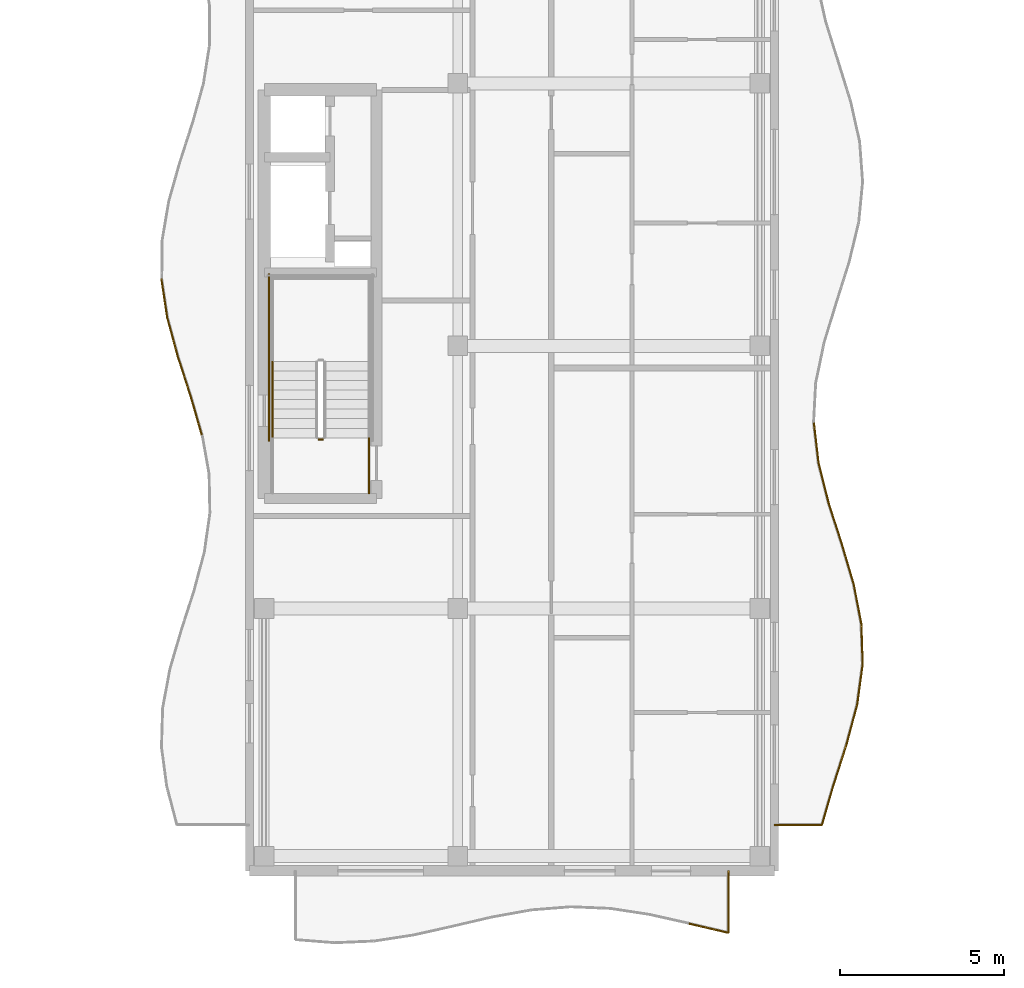
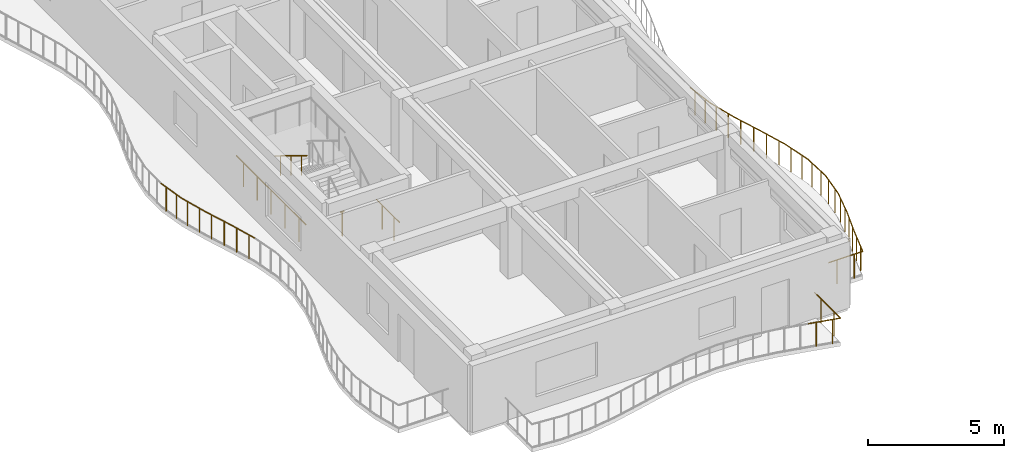
# One storey, part 58 of 72: 21 railings.
"""IFC4 building model written with IfcOpenShell, lengths in metres."""

from ifc_helpers import new_model, si_unit, direction, frame, origin, origin_2d, place, context, subcontext, project, spatial, circle, extrude, material, type_object, element, save


model = new_model("IFC4")

# Units and contexts
model_context = context("Model", 3, precision=1e-05, world=origin(), true_north=direction((0.0, 1.0)))
body_context = subcontext(model_context, "Body", "Model", "MODEL_VIEW")
ifc_project = project(units=[si_unit("LENGTHUNIT", "METRE"), si_unit("AREAUNIT", "SQUARE_METRE"), si_unit("VOLUMEUNIT", "CUBIC_METRE"), si_unit("PLANEANGLEUNIT", "RADIAN"), si_unit("MASSUNIT", "GRAM", prefix="KILO")], contexts=[model_context])

# Site, building, storey
site_placement = place(None, origin())
site = spatial("IfcSite", under=ifc_project, at=site_placement, CompositionType="ELEMENT")
building_placement = place(site_placement, origin())
building = spatial("IfcBuilding", under=site, at=building_placement, Name="Keldmere Railside Commons", CompositionType="ELEMENT")
storey_placement = place(building_placement, frame((0.0, 0.0, 16.9599609375)))
storey = spatial("IfcBuildingStorey", under=building, at=storey_placement, Name="L05", CompositionType="ELEMENT", Elevation=16.9599609375)

# Railings
ifc_material = material(Name="Steel F-24 (S235)", Category="steel")
railing_type_1 = type_object("IfcRailingType", Name="Balcony & Terrace Steel Balustrade 1100", PredefinedType="BALUSTRADE", material=ifc_material)
railing_1_placement = place(storey_placement, frame((120.0, 57.39990234375, 0.0)))
element("IfcRailing", 1, at=railing_1_placement, inside=storey, type_object=railing_type_1, Name="GR-1 GRD-L05-2405", PredefinedType="BALUSTRADE", context=body_context, shape_type="SweptSolid", body=[
    extrude(circle(Radius=0.02392578125, at=origin_2d()), frame((0.0, 0.0, 1.076171875), z_axis=(1.0, 0.0, 0.0), x_axis=(0.0, 1.0, 0.0)), (0.0, 0.0, 1.0), 1.447998046875),
    extrude(circle(Radius=0.02099609375, at=origin_2d()), frame((0.362060546875, 0.0, 0.0)), (0.0, 0.0, 1.0), 1.048095703125),
    extrude(circle(Radius=0.02099609375, at=origin_2d()), frame((1.0859375, 0.0, 0.0)), (0.0, 0.0, 1.0), 1.048095703125),
])
railing_2_placement = place(storey_placement, frame((121.447998046875, 57.39990234375, 0.0)))
element("IfcRailing", 2, at=railing_2_placement, inside=storey, type_object=railing_type_1, Name="GR-1 GRD-L05-2406", PredefinedType="BALUSTRADE", context=body_context, shape_type="SweptSolid", body=[
    extrude(circle(Radius=0.02392578125, at=origin_2d()), frame((0.0, 0.0, 1.076171875), z_axis=(0.277602479935, 0.96069603056, 0.0), x_axis=(-0.96069603056, 0.277602479935, 0.0)), (0.0, 0.0, 1.0), 1.275146484375),
    extrude(circle(Radius=0.02099609375, at=origin_2d()), frame((0.08837890625, 0.30615234375, 0.0)), (0.0, 0.0, 1.0), 1.048095703125),
    extrude(circle(Radius=0.02099609375, at=origin_2d()), frame((0.265625, 0.9189453125, 0.0)), (0.0, 0.0, 1.0), 1.048095703125),
])
railing_3_placement = place(storey_placement, frame((121.802001953125, 58.625, 0.0)))
element("IfcRailing", 3, at=railing_3_placement, inside=storey, type_object=railing_type_1, Name="GR-1 GRD-L05-2407", PredefinedType="BALUSTRADE", context=body_context, shape_type="SweptSolid", body=[
    extrude(circle(Radius=0.02392578125, at=origin_2d()), frame((0.0, 0.0, 1.076171875), z_axis=(0.307052651276, 0.951692528785, 0.0), x_axis=(-0.951692528785, 0.307052651276, 0.0)), (0.0, 0.0, 1.0), 1.287353515625),
    extrude(circle(Radius=0.02099609375, at=origin_2d()), frame((0.098876953125, 0.30615234375, 0.0)), (0.0, 0.0, 1.0), 1.048095703125),
    extrude(circle(Radius=0.02099609375, at=origin_2d()), frame((0.29638671875, 0.9189453125, 0.0)), (0.0, 0.0, 1.0), 1.048095703125),
])
railing_4_placement = place(storey_placement, frame((122.197265625, 59.85009765625, 0.0)))
element("IfcRailing", 4, at=railing_4_placement, inside=storey, type_object=railing_type_1, Name="GR-1 GRD-L05-2408", PredefinedType="BALUSTRADE", context=body_context, shape_type="SweptSolid", body=[
    extrude(circle(Radius=0.02392578125, at=origin_2d()), frame((0.0, 0.0, 1.076171875), z_axis=(0.257326966125, 0.966324392999, 0.0), x_axis=(-0.966324392999, 0.257326966125, 0.0)), (0.0, 0.0, 1.0), 1.267578125),
    extrude(circle(Radius=0.02099609375, at=origin_2d()), frame((0.08154296875, 0.30615234375, 0.0)), (0.0, 0.0, 1.0), 1.048095703125),
    extrude(circle(Radius=0.02099609375, at=origin_2d()), frame((0.24462890625, 0.918701171875, 0.0)), (0.0, 0.0, 1.0), 1.048095703125),
])
railing_5_placement = place(storey_placement, frame((122.5234375, 61.074951171875, 0.0)))
element("IfcRailing", 5, at=railing_5_placement, inside=storey, type_object=railing_type_1, Name="GR-1 GRD-L05-2409", PredefinedType="BALUSTRADE", context=body_context, shape_type="SweptSolid", body=[
    extrude(circle(Radius=0.02392578125, at=origin_2d()), frame((0.0, 0.0, 1.076171875), z_axis=(0.134478701828, 0.990916484248, 0.0), x_axis=(-0.990916484248, 0.134478701828, 0.0)), (0.0, 0.0, 1.0), 1.236328125),
    extrude(circle(Radius=0.02099609375, at=origin_2d()), frame((0.04150390625, 0.30615234375, 0.0)), (0.0, 0.0, 1.0), 1.048095703125),
    extrude(circle(Radius=0.02099609375, at=origin_2d()), frame((0.124755859375, 0.9189453125, 0.0)), (0.0, 0.0, 1.0), 1.048095703125),
])
railing_6_placement = place(storey_placement, frame((122.689697265625, 62.300048828125, 0.0)))
element("IfcRailing", 6, at=railing_6_placement, inside=storey, type_object=railing_type_1, Name="GR-1 GRD-L05-2410", PredefinedType="BALUSTRADE", context=body_context, shape_type="SweptSolid", body=[
    extrude(circle(Radius=0.02392578125, at=origin_2d()), frame((0.0, 0.0, 1.076171875), z_axis=(-0.032671406841, 0.999466147088, 0.0), x_axis=(-0.999466147088, -0.032671406841, 0.0)), (0.0, 0.0, 1.0), 1.2255859375),
    extrude(circle(Radius=0.02099609375, at=origin_2d()), frame((-0.010009765625, 0.30615234375, 0.0)), (0.0, 0.0, 1.0), 1.048095703125),
    extrude(circle(Radius=0.02099609375, at=origin_2d()), frame((-0.030029296875, 0.918701171875, 0.0)), (0.0, 0.0, 1.0), 1.048095703125),
])
railing_7_placement = place(storey_placement, frame((122.649658203125, 63.52490234375, 0.0)))
element("IfcRailing", 7, at=railing_7_placement, inside=storey, type_object=railing_type_1, Name="GR-1 GRD-L05-2411", PredefinedType="BALUSTRADE", context=body_context, shape_type="SweptSolid", body=[
    extrude(circle(Radius=0.02392578125, at=origin_2d()), frame((0.0, 0.0, 1.076171875), z_axis=(-0.188658665611, 0.982042722029, 0.0), x_axis=(-0.982042722029, -0.188658665611, 0.0)), (0.0, 0.0, 1.0), 1.24755859375),
    extrude(circle(Radius=0.02099609375, at=origin_2d()), frame((-0.058837890625, 0.30615234375, 0.0)), (0.0, 0.0, 1.0), 1.048095703125),
    extrude(circle(Radius=0.02099609375, at=origin_2d()), frame((-0.176513671875, 0.9189453125, 0.0)), (0.0, 0.0, 1.0), 1.048095703125),
])
railing_8_placement = place(storey_placement, frame((122.414306640625, 64.75, 0.0)))
element("IfcRailing", 8, at=railing_8_placement, inside=storey, type_object=railing_type_1, Name="GR-1 GRD-L05-2412", PredefinedType="BALUSTRADE", context=body_context, shape_type="SweptSolid", body=[
    extrude(circle(Radius=0.02392578125, at=origin_2d()), frame((0.0, 0.0, 1.076171875), z_axis=(-0.285349676249, 0.958423477522, 0.0), x_axis=(-0.958423477522, -0.285349676249, 0.0)), (0.0, 0.0, 1.0), 1.2783203125),
    extrude(circle(Radius=0.02099609375, at=origin_2d()), frame((-0.09130859375, 0.30615234375, 0.0)), (0.0, 0.0, 1.0), 1.048095703125),
    extrude(circle(Radius=0.02099609375, at=origin_2d()), frame((-0.2734375, 0.9189453125, 0.0)), (0.0, 0.0, 1.0), 1.048095703125),
])
railing_9_placement = place(storey_placement, frame((122.049560546875, 65.97509765625, 0.0)))
element("IfcRailing", 9, at=railing_9_placement, inside=storey, type_object=railing_type_1, Name="GR-1 GRD-L05-2413", PredefinedType="BALUSTRADE", context=body_context, shape_type="SweptSolid", body=[
    extrude(circle(Radius=0.02392578125, at=origin_2d()), frame((0.0, 0.0, 1.076171875), z_axis=(-0.305216475285, 0.95228299534, 0.0), x_axis=(-0.95228299534, -0.305216475285, 0.0)), (0.0, 0.0, 1.0), 1.2861328125),
    extrude(circle(Radius=0.02099609375, at=origin_2d()), frame((-0.09814453125, 0.30615234375, 0.0)), (0.0, 0.0, 1.0), 1.048095703125),
    extrude(circle(Radius=0.02099609375, at=origin_2d()), frame((-0.29443359375, 0.918701171875, 0.0)), (0.0, 0.0, 1.0), 1.048095703125),
])
railing_10_placement = place(storey_placement, frame((121.656982421875, 67.199951171875, 0.0)))
element("IfcRailing", 10, at=railing_10_placement, inside=storey, type_object=railing_type_1, Name="GR-1 GRD-L05-2414", PredefinedType="BALUSTRADE", context=body_context, shape_type="SweptSolid", body=[
    extrude(circle(Radius=0.02392578125, at=origin_2d()), frame((0.0, 0.0, 1.076171875), z_axis=(-0.24589748978, 0.969295839525, 0.0), x_axis=(-0.969295839525, -0.24589748978, 0.0)), (0.0, 0.0, 1.0), 1.263916015625),
    extrude(circle(Radius=0.02099609375, at=origin_2d()), frame((-0.07763671875, 0.30615234375, 0.0)), (0.0, 0.0, 1.0), 1.048095703125),
    extrude(circle(Radius=0.02099609375, at=origin_2d()), frame((-0.233154296875, 0.9189453125, 0.0)), (0.0, 0.0, 1.0), 1.048095703125),
])
railing_11_placement = place(storey_placement, frame((121.34619140625, 68.425048828125, 0.0)))
element("IfcRailing", 11, at=railing_11_placement, inside=storey, type_object=railing_type_1, Name="GR-1 GRD-L05-2415", PredefinedType="BALUSTRADE", context=body_context, shape_type="SweptSolid", body=[
    extrude(circle(Radius=0.02392578125, at=origin_2d()), frame((0.0, 0.0, 1.076171875), z_axis=(-0.115428169968, 0.993315829723, 0.0), x_axis=(-0.993315829723, -0.115428169968, 0.0)), (0.0, 0.0, 1.0), 1.233154296875),
    extrude(circle(Radius=0.02099609375, at=origin_2d()), frame((-0.03564453125, 0.30615234375, 0.0)), (0.0, 0.0, 1.0), 1.048095703125),
    extrude(circle(Radius=0.02099609375, at=origin_2d()), frame((-0.106689453125, 0.918701171875, 0.0)), (0.0, 0.0, 1.0), 1.048095703125),
])
railing_12_placement = place(storey_placement, frame((102.549560546875, 69.288818359375, 0.0)))
element("IfcRailing", 12, at=railing_12_placement, inside=storey, type_object=railing_type_1, Name="GR-1 GRD-L05-2442", PredefinedType="BALUSTRADE", context=body_context, shape_type="SweptSolid", body=[
    extrude(circle(Radius=0.02392578125, at=origin_2d()), frame((0.0, 0.0, 1.076171875), z_axis=(-0.277377795323, 0.960760926902, 0.0), x_axis=(-0.960760926902, -0.277377795323, 0.0)), (0.0, 0.0, 1.0), 1.237548828125),
    extrude(circle(Radius=0.02099609375, at=origin_2d()), frame((-0.0859375, 0.29736328125, 0.0)), (0.0, 0.0, 1.0), 1.048095703125),
    extrude(circle(Radius=0.02099609375, at=origin_2d()), frame((-0.25732421875, 0.8916015625, 0.0)), (0.0, 0.0, 1.0), 1.048095703125),
])
railing_13_placement = place(storey_placement, frame((102.206298828125, 70.477783203125, 0.0)))
element("IfcRailing", 13, at=railing_13_placement, inside=storey, type_object=railing_type_1, Name="GR-1 GRD-L05-2443", PredefinedType="BALUSTRADE", context=body_context, shape_type="SweptSolid", body=[
    extrude(circle(Radius=0.02392578125, at=origin_2d()), frame((0.0, 0.0, 1.076171875), z_axis=(-0.307362431896, 0.951592525958, 0.0), x_axis=(-0.951592525958, -0.307362431896, 0.0)), (0.0, 0.0, 1.0), 1.24951171875),
    extrude(circle(Radius=0.02099609375, at=origin_2d()), frame((-0.095947265625, 0.29736328125, 0.0)), (0.0, 0.0, 1.0), 1.048095703125),
    extrude(circle(Radius=0.02099609375, at=origin_2d()), frame((-0.2880859375, 0.8916015625, 0.0)), (0.0, 0.0, 1.0), 1.048095703125),
])
railing_14_placement = place(storey_placement, frame((101.822265625, 71.666748046875, 0.0)))
element("IfcRailing", 14, at=railing_14_placement, inside=storey, type_object=railing_type_1, Name="GR-1 GRD-L05-2444", PredefinedType="BALUSTRADE", context=body_context, shape_type="SweptSolid", body=[
    extrude(circle(Radius=0.02392578125, at=origin_2d()), frame((0.0, 0.0, 1.076171875), z_axis=(-0.26326825954, 0.964722666635, 0.0), x_axis=(-0.964722666635, -0.26326825954, 0.0)), (0.0, 0.0, 1.0), 1.232421875),
    extrude(circle(Radius=0.02099609375, at=origin_2d()), frame((-0.0810546875, 0.29736328125, 0.0)), (0.0, 0.0, 1.0), 1.048095703125),
    extrude(circle(Radius=0.02099609375, at=origin_2d()), frame((-0.243408203125, 0.8916015625, 0.0)), (0.0, 0.0, 1.0), 1.048095703125),
])
railing_15_placement = place(storey_placement, frame((101.497802734375, 72.855712890625, 0.0)))
element("IfcRailing", 15, at=railing_15_placement, inside=storey, type_object=railing_type_1, Name="GR-1 GRD-L05-2445", PredefinedType="BALUSTRADE", context=body_context, shape_type="SweptSolid", body=[
    extrude(circle(Radius=0.02392578125, at=origin_2d()), frame((0.0, 0.0, 1.076171875), z_axis=(-0.148866784055, 0.988857259975, 0.0), x_axis=(-0.988857259975, -0.148866784055, 0.0)), (0.0, 0.0, 1.0), 1.2021484375),
    extrude(circle(Radius=0.02099609375, at=origin_2d()), frame((-0.044677734375, 0.297119140625, 0.0)), (0.0, 0.0, 1.0), 1.048095703125),
    extrude(circle(Radius=0.02099609375, at=origin_2d()), frame((-0.13427734375, 0.8916015625, 0.0)), (0.0, 0.0, 1.0), 1.048095703125),
])
railing_16_placement = place(storey_placement, frame((117.39990234375, 54.394287109375, 0.0)))
element("IfcRailing", 16, at=railing_16_placement, inside=storey, type_object=railing_type_1, Name="GR-1 GRD-L05-2497", PredefinedType="BALUSTRADE", context=body_context, shape_type="SweptSolid", body=[
    extrude(circle(Radius=0.02392578125, at=origin_2d()), frame((0.0, 0.0, 1.076171875), z_axis=(0.973800282224, -0.227404947924, 0.0), x_axis=(0.227404947924, 0.973800282224, 0.0)), (0.0, 0.0, 1.0), 1.232421875),
    extrude(circle(Radius=0.02099609375, at=origin_2d()), frame((0.300048828125, -0.070068359375, 0.0)), (0.0, 0.0, 1.0), 1.048095703125),
    extrude(circle(Radius=0.02099609375, at=origin_2d()), frame((0.900146484375, -0.210205078125, 0.0)), (0.0, 0.0, 1.0), 1.048095703125),
])
railing_17_placement = place(storey_placement, frame((118.60009765625, 54.114013671875, 0.0)))
element("IfcRailing", 17, at=railing_17_placement, inside=storey, type_object=railing_type_1, Name="GR-1 GRD-L05-2498", PredefinedType="BALUSTRADE", context=body_context, shape_type="SweptSolid", body=[
    extrude(circle(Radius=0.02392578125, at=origin_2d()), frame((0.0, 0.0, 1.076171875), z_axis=(0.0, 1.0, 0.0), x_axis=(-1.0, 0.0, 0.0)), (0.0, 0.0, 1.0), 1.885986328125),
    extrude(circle(Radius=0.02099609375, at=origin_2d()), frame((0.0, 0.471435546875, 0.0)), (0.0, 0.0, 1.0), 1.048095703125),
    extrude(circle(Radius=0.02099609375, at=origin_2d()), frame((0.0, 1.41455078125, 0.0)), (0.0, 0.0, 1.0), 1.048095703125),
])
railing_type_2 = type_object("IfcRailingType", Name="Stair Well Steel Guardrail 1100", PredefinedType="BALUSTRADE", material=ifc_material)
railing_18_placement = place(storey_placement, frame((106.25, 69.14990234375, 0.0)))
element("IfcRailing", 18, at=railing_18_placement, inside=storey, type_object=railing_type_2, Name="L05 ST-B1 stair guard 7", PredefinedType="BALUSTRADE", context=body_context, shape_type="SweptSolid", body=[
    extrude(circle(Radius=0.02392578125, at=origin_2d()), frame((0.0, 0.0, 1.076171875), z_axis=(-1.0, 0.0, 0.0), x_axis=(0.0, -1.0, 0.0)), (0.0, 0.0, 1.0), 0.14990234375),
    extrude(circle(Radius=0.02099609375, at=origin_2d()), frame((-0.074951171875, 0.0, 0.0)), (0.0, 0.0, 1.0), 1.048095703125),
])
railing_19_placement = place(storey_placement, frame((107.64990234375, 67.5, 0.0)))
element("IfcRailing", 19, at=railing_19_placement, inside=storey, type_object=railing_type_2, Name="L05 ST-B1 stair guard 8", PredefinedType="BALUSTRADE", context=body_context, shape_type="SweptSolid", body=[
    extrude(circle(Radius=0.02392578125, at=origin_2d()), frame((0.0, 0.0, 1.076171875), z_axis=(0.0, 1.0, 0.0), x_axis=(-1.0, 0.0, 0.0)), (0.0, 0.0, 1.0), 1.699951171875),
    extrude(circle(Radius=0.02099609375, at=origin_2d()), frame((0.0, 0.425048828125, 0.0)), (0.0, 0.0, 1.0), 1.048095703125),
    extrude(circle(Radius=0.02099609375, at=origin_2d()), frame((0.0, 1.27490234375, 0.0)), (0.0, 0.0, 1.0), 1.048095703125),
])
railing_20_placement = place(storey_placement, frame((104.60009765625, 69.10009765625, 0.0)))
element("IfcRailing", 20, at=railing_20_placement, inside=storey, type_object=railing_type_2, Name="L05 ST-B1 stair guard 11", PredefinedType="BALUSTRADE", context=body_context, shape_type="SweptSolid", body=[
    extrude(circle(Radius=0.02392578125, at=origin_2d()), frame((0.0, 0.0, 1.076171875), z_axis=(0.0, 1.0, 0.0), x_axis=(-1.0, 0.0, 0.0)), (0.0, 0.0, 1.0), 5.099853515625),
    extrude(circle(Radius=0.02099609375, at=origin_2d()), frame((0.0, 0.510009765625, 0.0)), (0.0, 0.0, 1.0), 1.048095703125),
    extrude(circle(Radius=0.02099609375, at=origin_2d()), frame((0.0, 1.530029296875, 0.0)), (0.0, 0.0, 1.0), 1.048095703125),
    extrude(circle(Radius=0.02099609375, at=origin_2d()), frame((0.0, 2.5498046875, 0.0)), (0.0, 0.0, 1.0), 1.048095703125),
    extrude(circle(Radius=0.02099609375, at=origin_2d()), frame((0.0, 3.56982421875, 0.0)), (0.0, 0.0, 1.0), 1.048095703125),
    extrude(circle(Radius=0.02099609375, at=origin_2d()), frame((0.0, 4.58984375, 0.0)), (0.0, 0.0, 1.0), 1.048095703125),
])
railing_type_3 = type_object("IfcRailingType", Name="Wall-Mounted Tubular Steel Handrail 900", PredefinedType="HANDRAIL", material=ifc_material)
railing_21_placement = place(storey_placement, frame((104.699951171875, 71.52001953125, 1.77783203125)))
element("IfcRailing", 21, at=railing_21_placement, inside=storey, type_object=railing_type_3, Name="L05 ST-B1 stair handrail 2", PredefinedType="HANDRAIL", context=body_context, shape_type="SweptSolid", body=[
    extrude(circle(Radius=0.02392578125, at=origin_2d()), frame((0.0, 0.0, 0.8759765625), z_axis=(0.0, -0.852578041948, 0.522599925744), x_axis=(1.0, 0.0, 0.0)), (0.0, 0.0, 1.0), 2.72119140625),
    extrude(circle(Radius=0.02099609375, at=origin_2d()), frame((0.0, -0.38671875, 0.237060546875)), (0.0, 0.0, 1.0), 0.847900390625),
    extrude(circle(Radius=0.02099609375, at=origin_2d()), frame((0.0, -1.16015625, 0.7109375)), (0.0, 0.0, 1.0), 0.847900390625),
    extrude(circle(Radius=0.02099609375, at=origin_2d()), frame((0.0, -1.933349609375, 1.18505859375)), (0.0, 0.0, 1.0), 0.847900390625),
])

save(model, "model.ifc")
